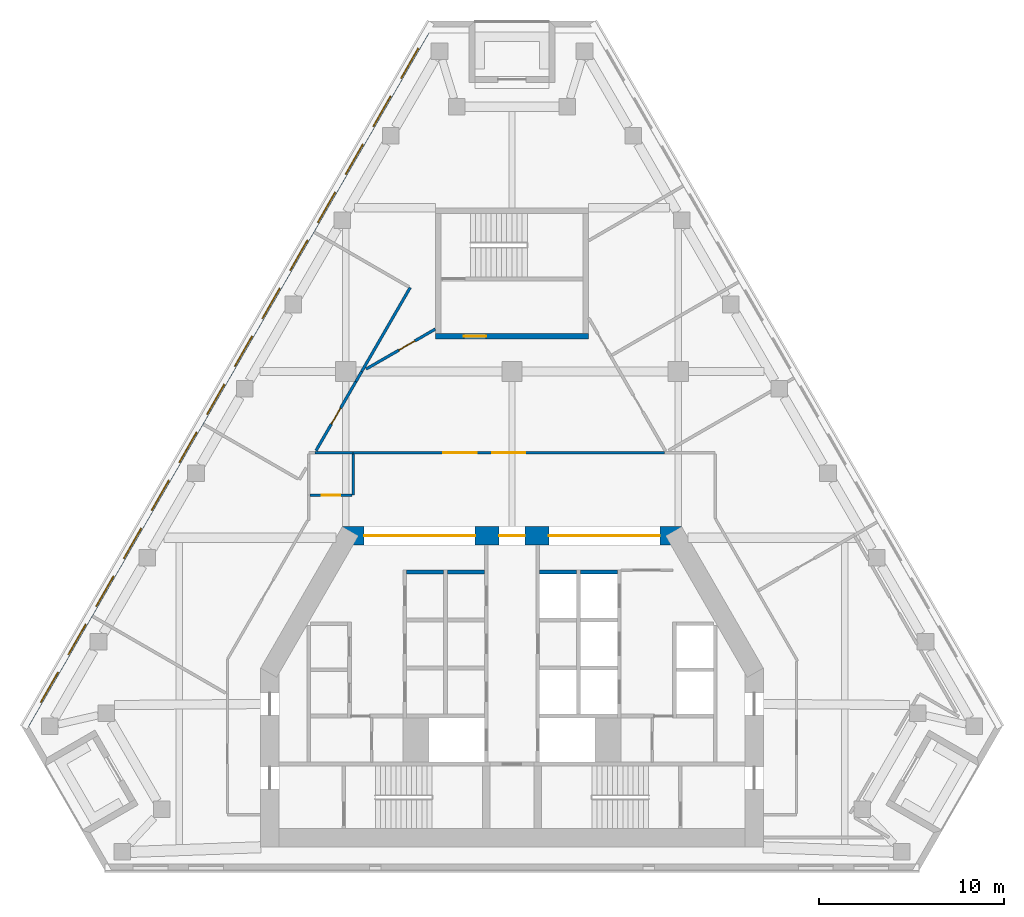
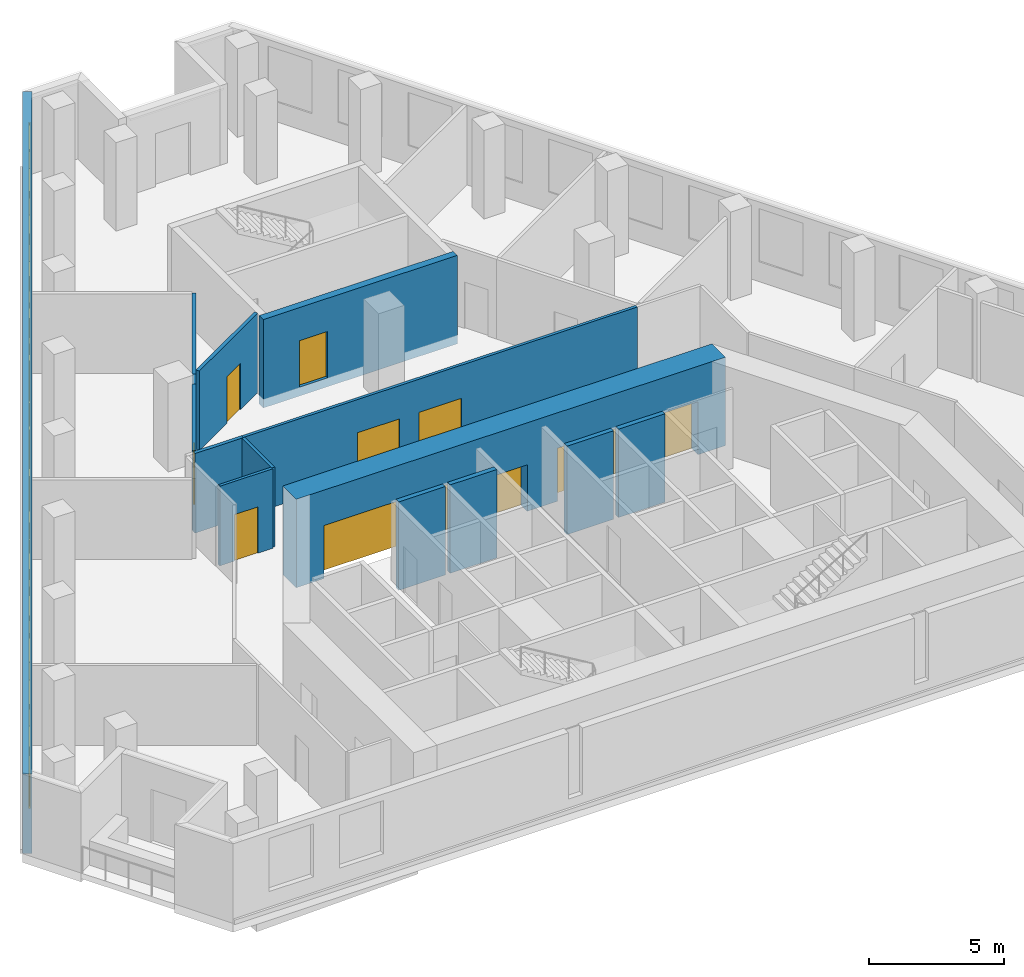
# One storey, part 4 of 8: 15 walls, 14 windows, 9 doors, 23 openings.
"""IFC4 building model written with IfcOpenShell, lengths in metres."""

from ifc_helpers import new_model, si_unit, direction, frame, frame_2d, origin, place, context, subcontext, project, spatial, rectangle, extrude, material, layer, layer_set, type_object, element, fill, save


model = new_model("IFC4")

# Units and contexts
model_context = context("Model", 3, precision=1e-05, world=origin(), true_north=direction((0.0, 1.0)))
body_context = subcontext(model_context, "Body", "Model", "MODEL_VIEW")
ifc_project = project(units=[si_unit("LENGTHUNIT", "METRE"), si_unit("AREAUNIT", "SQUARE_METRE"), si_unit("VOLUMEUNIT", "CUBIC_METRE"), si_unit("PLANEANGLEUNIT", "RADIAN"), si_unit("MASSUNIT", "GRAM", prefix="KILO")], contexts=[model_context])

# Site, building, storey
site_placement = place(None, origin())
site = spatial("IfcSite", under=ifc_project, at=site_placement, CompositionType="ELEMENT")
building_placement = place(site_placement, origin())
building = spatial("IfcBuilding", under=site, at=building_placement, Name="Fogline Exchange Tower", CompositionType="ELEMENT")
storey_placement = place(building_placement, frame((0.0, 0.0, 243.5)))
storey = spatial("IfcBuildingStorey", under=building, at=storey_placement, Name="L55", CompositionType="ELEMENT", Elevation=243.5)

# Walls
ifc_material_1 = material(Name="Concrete C40", Category="concrete")
ifc_layer_1 = layer(ifc_material_1, 0.199951171875)
ifc_layer_set_1 = layer_set([ifc_layer_1], Name="CW20S")
wall_type_1 = type_object("IfcWallType", Name="CW20S", PredefinedType="SOLIDWALL", material=ifc_layer_set_1)
for number, where, z_axis, x_axis, name in (
    (1, (-5.699951171875, 16.14990234375, -0.39990234375), (0.0, 0.0, 1.0), (1.0, 0.0, 0.0), "Lift shaft wall"),
    (2, (-3.5, 16.14990234375, -0.39990234375), (0.0, 0.0, 1.0), (1.0, 0.0, 0.0), "Lift shaft wall"),
    (3, (3.699951171875, 16.14990234375, -0.39990234375), (0.0, 0.0, 1.0), (1.0, 0.0, 0.0), "Lift shaft wall"),
    (4, (1.5, 16.14990234375, -0.39990234375), (0.0, 0.0, 1.0), (1.0, 0.0, 0.0), "Lift shaft wall"),
):
    element("IfcWall", number, at=place(storey_placement, frame(where, z_axis=z_axis, x_axis=x_axis)), inside=storey, type_object=wall_type_1, Name=name, PredefinedType="SOLIDWALL", context=body_context, shape_type="SweptSolid", body=[
        extrude(rectangle(XDim=2.0, YDim=0.199951171875, at=frame_2d((1.0, 0.0))), origin(), (0.0, 0.0, 1.0), 4.0),
    ])

# Wall, opening, door
ifc_layer_2 = layer(ifc_material_1, 0.300048828125)
ifc_layer_set_2 = layer_set([ifc_layer_2], Name="CW30")
wall_type_2 = type_object("IfcWallType", Name="CW30", PredefinedType="SOLIDWALL", material=ifc_layer_set_2)
wall_1_placement = place(storey_placement, frame((-4.14990234375, 28.906982421875, -0.39990234375), z_axis=(0.0, 0.0, 1.0), x_axis=(1.0, 0.0, 0.0)))
wall_1 = element("IfcWall", 5, at=wall_1_placement, inside=storey, type_object=wall_type_2, Name="Stair enclosure wall ST3", PredefinedType="SOLIDWALL", context=body_context, shape_type="SweptSolid", body=[
    extrude(rectangle(XDim=8.2998046875, YDim=0.300048828125, at=frame_2d((4.14990234375, 0.0))), origin(), (0.0, 0.0, 1.0), 4.0),
])
opening_1_placement = place(wall_1_placement, frame((1.550048828125, 0.0, 0.39990234375)))
opening_1 = element("IfcOpeningElement", 6, at=opening_1_placement, cuts=wall_1, Name="Opening T17-C025", PredefinedType="OPENING", context=body_context, shape_type="SweptSolid", body=[
    extrude(rectangle(XDim=1.199951171875, YDim=2.10009765625, at=frame_2d((0.60009765625, 1.050048828125))), frame((0.0, 0.16015625, 0.0), z_axis=(0.0, -1.0, 0.0), x_axis=(1.0, 0.0, 0.0)), (0.0, 0.0, 1.0), 0.320068359375),
])
ifc_material_2 = material(Name="Steel and timber fire door", Category="steel")
door_type_1 = type_object("IfcDoorType", Name="D-FR1", OperationType="SINGLE_SWING_RIGHT", PredefinedType="DOOR", material=ifc_material_2)
door_1_placement = place(opening_1_placement, origin())
door_1 = element("IfcDoor", 7, at=door_1_placement, inside=storey, type_object=door_type_1, Name="Front room door ST3", OperationType="SINGLE_SWING_LEFT", OverallHeight=2.10009765625, OverallWidth=1.199951171875, PredefinedType="DOOR", context=body_context, shape_type="SweptSolid", body=[
    extrude(rectangle(XDim=1.199951171875, YDim=2.10009765625, at=frame_2d((0.60009765625, 1.050048828125))), frame((0.0, 0.02490234375, 0.0), z_axis=(0.0, -1.0, 0.0), x_axis=(1.0, 0.0, 0.0)), (0.0, 0.0, 1.0), 0.050048828125),
])
fill(opening_1, door_1)

# Wall, openings, windows
ifc_material_3 = material(Name="Brick masonry", Category="masonry")
ifc_layer_3 = layer(ifc_material_3, 0.340087890625)
ifc_layer_set_3 = layer_set([ifc_layer_3], Name="FW1")
wall_type_3 = type_object("IfcWallType", Name="FW1", PredefinedType="SOLIDWALL", material=ifc_layer_set_3)
wall_2_placement = place(storey_placement, frame((-4.352783203125, 45.88671875, 0.0), z_axis=(0.0, 0.0, 1.0), x_axis=(-0.499999383836, -0.866025759527, 0.0)))
wall_2 = element("IfcWall", 8, at=wall_2_placement, inside=storey, type_object=wall_type_3, Name="Brick wall L55 W", PredefinedType="SOLIDWALL", context=body_context, shape_type="SweptSolid", body=[
    extrude(rectangle(XDim=44.08349609375, YDim=0.340087890625, at=frame_2d((22.041748046875, 0.0))), origin(), (0.0, 0.0, 1.0), 3.60009765625),
])
opening_2_placement = place(wall_2_placement, frame((1.5625, 0.0, 0.89990234375)))
opening_2 = element("IfcOpeningElement", 9, at=opening_2_placement, cuts=wall_2, Name="Opening W1", PredefinedType="OPENING", context=body_context, shape_type="SweptSolid", body=[
    extrude(rectangle(XDim=1.885009765625, YDim=2.39990234375, at=frame_2d((0.9423828125, 1.199951171875))), frame((0.0, 0.18017578125, 0.0), z_axis=(0.0, -1.0, 0.0), x_axis=(1.0, 0.0, 0.0)), (0.0, 0.0, 1.0), 0.360107421875),
])
opening_3_placement = place(wall_2_placement, frame((4.5625, 0.0, 0.89990234375)))
opening_3 = element("IfcOpeningElement", 10, at=opening_3_placement, cuts=wall_2, Name="Opening W1", PredefinedType="OPENING", context=body_context, shape_type="SweptSolid", body=[
    extrude(rectangle(XDim=1.885009765625, YDim=2.39990234375, at=frame_2d((0.9423828125, 1.199951171875))), frame((0.0, 0.18017578125, 0.0), z_axis=(0.0, -1.0, 0.0), x_axis=(1.0, 0.0, 0.0)), (0.0, 0.0, 1.0), 0.360107421875),
])
opening_4_placement = place(wall_2_placement, frame((7.5625, 0.0, 0.89990234375)))
opening_4 = element("IfcOpeningElement", 11, at=opening_4_placement, cuts=wall_2, Name="Opening W1", PredefinedType="OPENING", context=body_context, shape_type="SweptSolid", body=[
    extrude(rectangle(XDim=1.885009765625, YDim=2.39990234375, at=frame_2d((0.9423828125, 1.199951171875))), frame((0.0, 0.18017578125, 0.0), z_axis=(0.0, -1.0, 0.0), x_axis=(1.0, 0.0, 0.0)), (0.0, 0.0, 1.0), 0.360107421875),
])
opening_5_placement = place(wall_2_placement, frame((10.5625, 0.0, 0.89990234375)))
opening_5 = element("IfcOpeningElement", 12, at=opening_5_placement, cuts=wall_2, Name="Opening W1", PredefinedType="OPENING", context=body_context, shape_type="SweptSolid", body=[
    extrude(rectangle(XDim=1.885009765625, YDim=2.39990234375, at=frame_2d((0.9423828125, 1.199951171875))), frame((0.0, 0.18017578125, 0.0), z_axis=(0.0, -1.0, 0.0), x_axis=(1.0, 0.0, 0.0)), (0.0, 0.0, 1.0), 0.360107421875),
])
opening_6_placement = place(wall_2_placement, frame((13.5625, 0.0, 0.89990234375)))
opening_6 = element("IfcOpeningElement", 13, at=opening_6_placement, cuts=wall_2, Name="Opening W1", PredefinedType="OPENING", context=body_context, shape_type="SweptSolid", body=[
    extrude(rectangle(XDim=1.885009765625, YDim=2.39990234375, at=frame_2d((0.9423828125, 1.199951171875))), frame((0.0, 0.18017578125, 0.0), z_axis=(0.0, -1.0, 0.0), x_axis=(1.0, 0.0, 0.0)), (0.0, 0.0, 1.0), 0.360107421875),
])
opening_7_placement = place(wall_2_placement, frame((16.5625, 0.0, 0.89990234375)))
opening_7 = element("IfcOpeningElement", 14, at=opening_7_placement, cuts=wall_2, Name="Opening W1", PredefinedType="OPENING", context=body_context, shape_type="SweptSolid", body=[
    extrude(rectangle(XDim=1.885009765625, YDim=2.39990234375, at=frame_2d((0.9423828125, 1.199951171875))), frame((0.0, 0.18017578125, 0.0), z_axis=(0.0, -1.0, 0.0), x_axis=(1.0, 0.0, 0.0)), (0.0, 0.0, 1.0), 0.360107421875),
])
opening_8_placement = place(wall_2_placement, frame((19.5625, 0.0, 0.89990234375)))
opening_8 = element("IfcOpeningElement", 15, at=opening_8_placement, cuts=wall_2, Name="Opening W1", PredefinedType="OPENING", context=body_context, shape_type="SweptSolid", body=[
    extrude(rectangle(XDim=1.885009765625, YDim=2.39990234375, at=frame_2d((0.9423828125, 1.199951171875))), frame((0.0, 0.18017578125, 0.0), z_axis=(0.0, -1.0, 0.0), x_axis=(1.0, 0.0, 0.0)), (0.0, 0.0, 1.0), 0.360107421875),
])
opening_9_placement = place(wall_2_placement, frame((22.5625, 0.0, 0.89990234375)))
opening_9 = element("IfcOpeningElement", 16, at=opening_9_placement, cuts=wall_2, Name="Opening W1", PredefinedType="OPENING", context=body_context, shape_type="SweptSolid", body=[
    extrude(rectangle(XDim=1.885009765625, YDim=2.39990234375, at=frame_2d((0.9423828125, 1.199951171875))), frame((0.0, 0.18017578125, 0.0), z_axis=(0.0, -1.0, 0.0), x_axis=(1.0, 0.0, 0.0)), (0.0, 0.0, 1.0), 0.360107421875),
])
opening_10_placement = place(wall_2_placement, frame((25.5625, 0.0, 0.89990234375)))
opening_10 = element("IfcOpeningElement", 17, at=opening_10_placement, cuts=wall_2, Name="Opening W1", PredefinedType="OPENING", context=body_context, shape_type="SweptSolid", body=[
    extrude(rectangle(XDim=1.885009765625, YDim=2.39990234375, at=frame_2d((0.9423828125, 1.199951171875))), frame((0.0, 0.18017578125, 0.0), z_axis=(0.0, -1.0, 0.0), x_axis=(1.0, 0.0, 0.0)), (0.0, 0.0, 1.0), 0.360107421875),
])
opening_11_placement = place(wall_2_placement, frame((28.5625, 0.0, 0.89990234375)))
opening_11 = element("IfcOpeningElement", 18, at=opening_11_placement, cuts=wall_2, Name="Opening W1", PredefinedType="OPENING", context=body_context, shape_type="SweptSolid", body=[
    extrude(rectangle(XDim=1.885009765625, YDim=2.39990234375, at=frame_2d((0.9423828125, 1.199951171875))), frame((0.0, 0.18017578125, 0.0), z_axis=(0.0, -1.0, 0.0), x_axis=(1.0, 0.0, 0.0)), (0.0, 0.0, 1.0), 0.360107421875),
])
opening_12_placement = place(wall_2_placement, frame((31.5625, 0.0, 0.89990234375)))
opening_12 = element("IfcOpeningElement", 19, at=opening_12_placement, cuts=wall_2, Name="Opening W1", PredefinedType="OPENING", context=body_context, shape_type="SweptSolid", body=[
    extrude(rectangle(XDim=1.885009765625, YDim=2.39990234375, at=frame_2d((0.9423828125, 1.199951171875))), frame((0.0, 0.18017578125, 0.0), z_axis=(0.0, -1.0, 0.0), x_axis=(1.0, 0.0, 0.0)), (0.0, 0.0, 1.0), 0.360107421875),
])
opening_13_placement = place(wall_2_placement, frame((34.5625, 0.0, 0.89990234375)))
opening_13 = element("IfcOpeningElement", 20, at=opening_13_placement, cuts=wall_2, Name="Opening W1", PredefinedType="OPENING", context=body_context, shape_type="SweptSolid", body=[
    extrude(rectangle(XDim=1.885009765625, YDim=2.39990234375, at=frame_2d((0.9423828125, 1.199951171875))), frame((0.0, 0.18017578125, 0.0), z_axis=(0.0, -1.0, 0.0), x_axis=(1.0, 0.0, 0.0)), (0.0, 0.0, 1.0), 0.360107421875),
])
opening_14_placement = place(wall_2_placement, frame((37.5625, 0.0, 0.89990234375)))
opening_14 = element("IfcOpeningElement", 21, at=opening_14_placement, cuts=wall_2, Name="Opening W1", PredefinedType="OPENING", context=body_context, shape_type="SweptSolid", body=[
    extrude(rectangle(XDim=1.885009765625, YDim=2.39990234375, at=frame_2d((0.9423828125, 1.199951171875))), frame((0.0, 0.18017578125, 0.0), z_axis=(0.0, -1.0, 0.0), x_axis=(1.0, 0.0, 0.0)), (0.0, 0.0, 1.0), 0.360107421875),
])
opening_15_placement = place(wall_2_placement, frame((40.5625, 0.0, 0.89990234375)))
opening_15 = element("IfcOpeningElement", 22, at=opening_15_placement, cuts=wall_2, Name="Opening W1", PredefinedType="OPENING", context=body_context, shape_type="SweptSolid", body=[
    extrude(rectangle(XDim=1.885009765625, YDim=2.39990234375, at=frame_2d((0.9423828125, 1.199951171875))), frame((0.0, 0.18017578125, 0.0), z_axis=(0.0, -1.0, 0.0), x_axis=(1.0, 0.0, 0.0)), (0.0, 0.0, 1.0), 0.360107421875),
])
ifc_material_4 = material(Name="Aluminium and glass", Category="aluminium")
window_type = type_object("IfcWindowType", Name="W1", PartitioningType="SINGLE_PANEL", PredefinedType="WINDOW", material=ifc_material_4)
window_1_placement = place(opening_2_placement, origin())
window_1 = element("IfcWindow", 23, at=window_1_placement, inside=storey, type_object=window_type, Name="W1 W1", OverallHeight=2.39990234375, OverallWidth=1.885009765625, PartitioningType="SINGLE_PANEL", PredefinedType="WINDOW", context=body_context, shape_type="SweptSolid", body=[
    extrude(rectangle(XDim=1.885009765625, YDim=2.39990234375, at=frame_2d((0.9423828125, 1.199951171875))), frame((0.0, 0.110107421875, 0.0), z_axis=(0.0, -1.0, 0.0), x_axis=(1.0, 0.0, 0.0)), (0.0, 0.0, 1.0), 0.06005859375),
])
fill(opening_2, window_1)
window_2_placement = place(opening_3_placement, origin())
window_2 = element("IfcWindow", 24, at=window_2_placement, inside=storey, type_object=window_type, Name="W1 W1", OverallHeight=2.39990234375, OverallWidth=1.885009765625, PartitioningType="SINGLE_PANEL", PredefinedType="WINDOW", context=body_context, shape_type="SweptSolid", body=[
    extrude(rectangle(XDim=1.885009765625, YDim=2.39990234375, at=frame_2d((0.9423828125, 1.199951171875))), frame((0.0, 0.110107421875, 0.0), z_axis=(0.0, -1.0, 0.0), x_axis=(1.0, 0.0, 0.0)), (0.0, 0.0, 1.0), 0.06005859375),
])
fill(opening_3, window_2)
window_3_placement = place(opening_4_placement, origin())
window_3 = element("IfcWindow", 25, at=window_3_placement, inside=storey, type_object=window_type, Name="W1 W1", OverallHeight=2.39990234375, OverallWidth=1.885009765625, PartitioningType="SINGLE_PANEL", PredefinedType="WINDOW", context=body_context, shape_type="SweptSolid", body=[
    extrude(rectangle(XDim=1.885009765625, YDim=2.39990234375, at=frame_2d((0.9423828125, 1.199951171875))), frame((0.0, 0.110107421875, 0.0), z_axis=(0.0, -1.0, 0.0), x_axis=(1.0, 0.0, 0.0)), (0.0, 0.0, 1.0), 0.06005859375),
])
fill(opening_4, window_3)
window_4_placement = place(opening_5_placement, origin())
window_4 = element("IfcWindow", 26, at=window_4_placement, inside=storey, type_object=window_type, Name="W1 W1", OverallHeight=2.39990234375, OverallWidth=1.885009765625, PartitioningType="SINGLE_PANEL", PredefinedType="WINDOW", context=body_context, shape_type="SweptSolid", body=[
    extrude(rectangle(XDim=1.885009765625, YDim=2.39990234375, at=frame_2d((0.9423828125, 1.199951171875))), frame((0.0, 0.110107421875, 0.0), z_axis=(0.0, -1.0, 0.0), x_axis=(1.0, 0.0, 0.0)), (0.0, 0.0, 1.0), 0.06005859375),
])
fill(opening_5, window_4)
window_5_placement = place(opening_6_placement, origin())
window_5 = element("IfcWindow", 27, at=window_5_placement, inside=storey, type_object=window_type, Name="W1 W1", OverallHeight=2.39990234375, OverallWidth=1.885009765625, PartitioningType="SINGLE_PANEL", PredefinedType="WINDOW", context=body_context, shape_type="SweptSolid", body=[
    extrude(rectangle(XDim=1.885009765625, YDim=2.39990234375, at=frame_2d((0.9423828125, 1.199951171875))), frame((0.0, 0.110107421875, 0.0), z_axis=(0.0, -1.0, 0.0), x_axis=(1.0, 0.0, 0.0)), (0.0, 0.0, 1.0), 0.06005859375),
])
fill(opening_6, window_5)
window_6_placement = place(opening_7_placement, origin())
window_6 = element("IfcWindow", 28, at=window_6_placement, inside=storey, type_object=window_type, Name="W1 W1", OverallHeight=2.39990234375, OverallWidth=1.885009765625, PartitioningType="SINGLE_PANEL", PredefinedType="WINDOW", context=body_context, shape_type="SweptSolid", body=[
    extrude(rectangle(XDim=1.885009765625, YDim=2.39990234375, at=frame_2d((0.9423828125, 1.199951171875))), frame((0.0, 0.110107421875, 0.0), z_axis=(0.0, -1.0, 0.0), x_axis=(1.0, 0.0, 0.0)), (0.0, 0.0, 1.0), 0.06005859375),
])
fill(opening_7, window_6)
window_7_placement = place(opening_8_placement, origin())
window_7 = element("IfcWindow", 29, at=window_7_placement, inside=storey, type_object=window_type, Name="W1 W1", OverallHeight=2.39990234375, OverallWidth=1.885009765625, PartitioningType="SINGLE_PANEL", PredefinedType="WINDOW", context=body_context, shape_type="SweptSolid", body=[
    extrude(rectangle(XDim=1.885009765625, YDim=2.39990234375, at=frame_2d((0.9423828125, 1.199951171875))), frame((0.0, 0.110107421875, 0.0), z_axis=(0.0, -1.0, 0.0), x_axis=(1.0, 0.0, 0.0)), (0.0, 0.0, 1.0), 0.06005859375),
])
fill(opening_8, window_7)
window_8_placement = place(opening_9_placement, origin())
window_8 = element("IfcWindow", 30, at=window_8_placement, inside=storey, type_object=window_type, Name="W1 W1", OverallHeight=2.39990234375, OverallWidth=1.885009765625, PartitioningType="SINGLE_PANEL", PredefinedType="WINDOW", context=body_context, shape_type="SweptSolid", body=[
    extrude(rectangle(XDim=1.885009765625, YDim=2.39990234375, at=frame_2d((0.9423828125, 1.199951171875))), frame((0.0, 0.110107421875, 0.0), z_axis=(0.0, -1.0, 0.0), x_axis=(1.0, 0.0, 0.0)), (0.0, 0.0, 1.0), 0.06005859375),
])
fill(opening_9, window_8)
window_9_placement = place(opening_10_placement, origin())
window_9 = element("IfcWindow", 31, at=window_9_placement, inside=storey, type_object=window_type, Name="W1 W1", OverallHeight=2.39990234375, OverallWidth=1.885009765625, PartitioningType="SINGLE_PANEL", PredefinedType="WINDOW", context=body_context, shape_type="SweptSolid", body=[
    extrude(rectangle(XDim=1.885009765625, YDim=2.39990234375, at=frame_2d((0.9423828125, 1.199951171875))), frame((0.0, 0.110107421875, 0.0), z_axis=(0.0, -1.0, 0.0), x_axis=(1.0, 0.0, 0.0)), (0.0, 0.0, 1.0), 0.06005859375),
])
fill(opening_10, window_9)
window_10_placement = place(opening_11_placement, origin())
window_10 = element("IfcWindow", 32, at=window_10_placement, inside=storey, type_object=window_type, Name="W1 W1", OverallHeight=2.39990234375, OverallWidth=1.885009765625, PartitioningType="SINGLE_PANEL", PredefinedType="WINDOW", context=body_context, shape_type="SweptSolid", body=[
    extrude(rectangle(XDim=1.885009765625, YDim=2.39990234375, at=frame_2d((0.9423828125, 1.199951171875))), frame((0.0, 0.110107421875, 0.0), z_axis=(0.0, -1.0, 0.0), x_axis=(1.0, 0.0, 0.0)), (0.0, 0.0, 1.0), 0.06005859375),
])
fill(opening_11, window_10)
window_11_placement = place(opening_12_placement, origin())
window_11 = element("IfcWindow", 33, at=window_11_placement, inside=storey, type_object=window_type, Name="W1 W1", OverallHeight=2.39990234375, OverallWidth=1.885009765625, PartitioningType="SINGLE_PANEL", PredefinedType="WINDOW", context=body_context, shape_type="SweptSolid", body=[
    extrude(rectangle(XDim=1.885009765625, YDim=2.39990234375, at=frame_2d((0.9423828125, 1.199951171875))), frame((0.0, 0.110107421875, 0.0), z_axis=(0.0, -1.0, 0.0), x_axis=(1.0, 0.0, 0.0)), (0.0, 0.0, 1.0), 0.06005859375),
])
fill(opening_12, window_11)
window_12_placement = place(opening_13_placement, origin())
window_12 = element("IfcWindow", 34, at=window_12_placement, inside=storey, type_object=window_type, Name="W1 W1", OverallHeight=2.39990234375, OverallWidth=1.885009765625, PartitioningType="SINGLE_PANEL", PredefinedType="WINDOW", context=body_context, shape_type="SweptSolid", body=[
    extrude(rectangle(XDim=1.885009765625, YDim=2.39990234375, at=frame_2d((0.9423828125, 1.199951171875))), frame((0.0, 0.110107421875, 0.0), z_axis=(0.0, -1.0, 0.0), x_axis=(1.0, 0.0, 0.0)), (0.0, 0.0, 1.0), 0.06005859375),
])
fill(opening_13, window_12)
window_13_placement = place(opening_14_placement, origin())
window_13 = element("IfcWindow", 35, at=window_13_placement, inside=storey, type_object=window_type, Name="W1 W1", OverallHeight=2.39990234375, OverallWidth=1.885009765625, PartitioningType="SINGLE_PANEL", PredefinedType="WINDOW", context=body_context, shape_type="SweptSolid", body=[
    extrude(rectangle(XDim=1.885009765625, YDim=2.39990234375, at=frame_2d((0.9423828125, 1.199951171875))), frame((0.0, 0.110107421875, 0.0), z_axis=(0.0, -1.0, 0.0), x_axis=(1.0, 0.0, 0.0)), (0.0, 0.0, 1.0), 0.06005859375),
])
fill(opening_14, window_13)
window_14_placement = place(opening_15_placement, origin())
window_14 = element("IfcWindow", 36, at=window_14_placement, inside=storey, type_object=window_type, Name="W1 W1", OverallHeight=2.39990234375, OverallWidth=1.885009765625, PartitioningType="SINGLE_PANEL", PredefinedType="WINDOW", context=body_context, shape_type="SweptSolid", body=[
    extrude(rectangle(XDim=1.885009765625, YDim=2.39990234375, at=frame_2d((0.9423828125, 1.199951171875))), frame((0.0, 0.110107421875, 0.0), z_axis=(0.0, -1.0, 0.0), x_axis=(1.0, 0.0, 0.0)), (0.0, 0.0, 1.0), 0.06005859375),
])
fill(opening_15, window_14)

# Wall, openings, doors
ifc_material_5 = material(Name="Plasterboard corridor partition with mineral wool, 2 layers each side")
ifc_layer_4 = layer(ifc_material_5, 0.125)
ifc_layer_set_4 = layer_set([ifc_layer_4], Name="PW2")
wall_type_4 = type_object("IfcWallType", Name="PW2", PredefinedType="PARTITIONING", material=ifc_layer_set_4)
wall_3_placement = place(storey_placement, frame((-8.60009765625, 22.60009765625, 0.0), z_axis=(0.0, 0.0, 1.0), x_axis=(1.0, 0.0, 0.0)))
wall_3 = element("IfcWall", 37, at=wall_3_placement, inside=storey, type_object=wall_type_4, Name="wall-L55-W007", PredefinedType="PARTITIONING", context=body_context, shape_type="SweptSolid", body=[
    extrude(rectangle(XDim=16.859375, YDim=0.125, at=frame_2d((8.4296875, 0.0))), origin(), (0.0, 0.0, 1.0), 3.60009765625),
])
opening_16_placement = place(wall_3_placement, frame((4.882568359375, 0.0, 0.0)))
opening_16 = element("IfcOpeningElement", 38, at=opening_16_placement, cuts=wall_3, Name="Opening T17-D002", PredefinedType="OPENING", context=body_context, shape_type="SweptSolid", body=[
    extrude(rectangle(XDim=1.800048828125, YDim=2.10009765625, at=frame_2d((0.89990234375, 1.050048828125))), frame((0.0, 0.072509765625, 0.0), z_axis=(0.0, -1.0, 0.0), x_axis=(1.0, 0.0, 0.0)), (0.0, 0.0, 1.0), 0.14501953125),
])
opening_17_placement = place(wall_3_placement, frame((7.529541015625, 0.0, 0.0)))
opening_17 = element("IfcOpeningElement", 39, at=opening_17_placement, cuts=wall_3, Name="Opening T17-D003", PredefinedType="OPENING", context=body_context, shape_type="SweptSolid", body=[
    extrude(rectangle(XDim=1.800048828125, YDim=2.10009765625, at=frame_2d((0.89990234375, 1.050048828125))), frame((0.0, 0.072509765625, 0.0), z_axis=(0.0, -1.0, 0.0), x_axis=(1.0, 0.0, 0.0)), (0.0, 0.0, 1.0), 0.14501953125),
])
ifc_material_6 = material(Name="Fire-rated timber door leaves with steel frame", Category="steel")
door_type_2 = type_object("IfcDoorType", Name="D4", OperationType="DOUBLE_DOOR_SINGLE_SWING", PredefinedType="DOOR", material=ifc_material_6)
door_2_placement = place(opening_16_placement, frame((1.800048828125, 0.0, 0.0), z_axis=(0.0, 0.0, 1.0), x_axis=(-1.0, 0.0, 0.0)))
door_2 = element("IfcDoor", 40, at=door_2_placement, inside=storey, type_object=door_type_2, Name="door-L55-D002", OperationType="DOUBLE_DOOR_SINGLE_SWING", OverallHeight=2.10009765625, OverallWidth=1.800048828125, PredefinedType="DOOR", context=body_context, shape_type="SweptSolid", body=[
    extrude(rectangle(XDim=1.800048828125, YDim=2.10009765625, at=frame_2d((0.89990234375, 1.050048828125))), frame((0.0, 0.02490234375, 0.0), z_axis=(0.0, -1.0, 0.0), x_axis=(1.0, 0.0, 0.0)), (0.0, 0.0, 1.0), 0.050048828125),
])
fill(opening_16, door_2)
door_3_placement = place(opening_17_placement, frame((1.800048828125, 0.0, 0.0), z_axis=(0.0, 0.0, 1.0), x_axis=(-1.0, 0.0, 0.0)))
door_3 = element("IfcDoor", 41, at=door_3_placement, inside=storey, type_object=door_type_2, Name="door-L55-D003", OperationType="DOUBLE_DOOR_SINGLE_SWING", OverallHeight=2.10009765625, OverallWidth=1.800048828125, PredefinedType="DOOR", context=body_context, shape_type="SweptSolid", body=[
    extrude(rectangle(XDim=1.800048828125, YDim=2.10009765625, at=frame_2d((0.89990234375, 1.050048828125))), frame((0.0, 0.02490234375, 0.0), z_axis=(0.0, -1.0, 0.0), x_axis=(1.0, 0.0, 0.0)), (0.0, 0.0, 1.0), 0.050048828125),
])
fill(opening_17, door_3)

# Wall, opening, door
wall_4_placement = place(storey_placement, frame((-10.925048828125, 20.300048828125, 0.0), z_axis=(0.0, 0.0, 1.0), x_axis=(1.0, 0.0, 0.0)))
wall_4 = element("IfcWall", 42, at=wall_4_placement, inside=storey, type_object=wall_type_4, Name="wall-L55-W008", PredefinedType="PARTITIONING", context=body_context, shape_type="SweptSolid", body=[
    extrude(rectangle(XDim=2.262451171875, YDim=0.125, at=frame_2d((1.13134765625, 0.0))), origin(), (0.0, 0.0, 1.0), 3.60009765625),
])
opening_18_placement = place(wall_4_placement, frame((0.63134765625, 0.0, 0.0)))
opening_18 = element("IfcOpeningElement", 43, at=opening_18_placement, cuts=wall_4, Name="Opening T17-D004", PredefinedType="OPENING", context=body_context, shape_type="SweptSolid", body=[
    extrude(rectangle(XDim=1.0, YDim=2.10009765625, at=frame_2d((0.5, 1.050048828125))), frame((0.0, 0.072509765625, 0.0), z_axis=(0.0, -1.0, 0.0), x_axis=(1.0, 0.0, 0.0)), (0.0, 0.0, 1.0), 0.14501953125),
])
ifc_material_7 = material(Name="Fire-rated timber door leaf with steel frame", Category="steel")
door_type_3 = type_object("IfcDoorType", Name="D3", OperationType="SINGLE_SWING_LEFT", PredefinedType="DOOR", material=ifc_material_7)
door_4_placement = place(opening_18_placement, origin())
door_4 = element("IfcDoor", 44, at=door_4_placement, inside=storey, type_object=door_type_3, Name="door-L55-D004", OperationType="SINGLE_SWING_LEFT", OverallHeight=2.10009765625, OverallWidth=1.0, PredefinedType="DOOR", context=body_context, shape_type="SweptSolid", body=[
    extrude(rectangle(XDim=1.0, YDim=2.10009765625, at=frame_2d((0.5, 1.050048828125))), frame((0.0, 0.02490234375, 0.0), z_axis=(0.0, -1.0, 0.0), x_axis=(1.0, 0.0, 0.0)), (0.0, 0.0, 1.0), 0.050048828125),
])
fill(opening_18, door_4)

# Wall
wall_5_placement = place(storey_placement, frame((-8.60009765625, 20.300048828125, 0.0), z_axis=(0.0, 0.0, 1.0), x_axis=(0.0, 1.0, 0.0)))
element("IfcWall", 45, at=wall_5_placement, inside=storey, type_object=wall_type_4, Name="wall-L55-W009", PredefinedType="PARTITIONING", context=body_context, shape_type="SweptSolid", body=[
    extrude(rectangle(XDim=2.224365234375, YDim=0.125, at=frame_2d((1.1123046875, 0.0))), origin(), (0.0, 0.0, 1.0), 3.60009765625),
])

# Wall, opening, door
ifc_material_8 = material(Name="Plasterboard demising partition with mineral wool and acoustic board")
ifc_layer_5 = layer(ifc_material_8, 0.14990234375)
ifc_layer_set_5 = layer_set([ifc_layer_5], Name="PW3")
wall_type_5 = type_object("IfcWallType", Name="PW3", PredefinedType="PARTITIONING", material=ifc_layer_set_5)
wall_6_placement = place(storey_placement, frame((-4.14990234375, 29.2919921875, 0.0), z_axis=(0.0, 0.0, 1.0), x_axis=(-0.866022044088, -0.50000581912, 0.0)))
wall_6 = element("IfcWall", 46, at=wall_6_placement, inside=storey, type_object=wall_type_5, Name="wall-L55-W023", PredefinedType="PARTITIONING", context=body_context, shape_type="SweptSolid", body=[
    extrude(rectangle(XDim=4.32568359375, YDim=0.14990234375, at=frame_2d((2.162841796875, 0.0))), origin(), (0.0, 0.0, 1.0), 3.60009765625),
])
opening_19_placement = place(wall_6_placement, frame((1.277587890625, 0.0, 0.0)))
opening_19 = element("IfcOpeningElement", 47, at=opening_19_placement, cuts=wall_6, Name="Opening T17-D010", PredefinedType="OPENING", context=body_context, shape_type="SweptSolid", body=[
    extrude(rectangle(XDim=1.0, YDim=2.10009765625, at=frame_2d((0.5, 1.050048828125))), frame((0.0, 0.0849609375, 0.0), z_axis=(0.0, -1.0, 0.0), x_axis=(1.0, 0.0, 0.0)), (0.0, 0.0, 1.0), 0.169921875),
])
door_5_placement = place(opening_19_placement, frame((1.0, 0.0, 0.0), z_axis=(0.0, 0.0, 1.0), x_axis=(-1.0, 0.0, 0.0)))
door_5 = element("IfcDoor", 48, at=door_5_placement, inside=storey, type_object=door_type_3, Name="door-L55-D010", OperationType="SINGLE_SWING_RIGHT", OverallHeight=2.10009765625, OverallWidth=1.0, PredefinedType="DOOR", context=body_context, shape_type="SweptSolid", body=[
    extrude(rectangle(XDim=1.0, YDim=2.10009765625, at=frame_2d((0.5, 1.050048828125))), frame((0.0, 0.02490234375, 0.0), z_axis=(0.0, -1.0, 0.0), x_axis=(1.0, 0.0, 0.0)), (0.0, 0.0, 1.0), 0.050048828125),
])
fill(opening_19, door_5)

# Wall
wall_7_placement = place(storey_placement, frame((-8.138916015625, 26.989013671875, 0.0), z_axis=(0.0, 0.0, 1.0), x_axis=(0.500017439519, 0.866015334839, 0.0)))
element("IfcWall", 49, at=wall_7_placement, inside=storey, type_object=wall_type_5, Name="wall-L55-W024", PredefinedType="PARTITIONING", context=body_context, shape_type="SweptSolid", body=[
    extrude(rectangle(XDim=5.253662109375, YDim=0.14990234375, at=frame_2d((2.626953125, 0.0))), origin(), (0.0, 0.0, 1.0), 3.60009765625),
])

# Wall, opening, door
wall_8_placement = place(storey_placement, frame((-10.607666015625, 22.712890625, 0.0), z_axis=(0.0, 0.0, 1.0), x_axis=(0.50002119175, 0.866013168376, 0.0)))
wall_8 = element("IfcWall", 50, at=wall_8_placement, inside=storey, type_object=wall_type_5, Name="wall-L55-W026", PredefinedType="PARTITIONING", context=body_context, shape_type="SweptSolid", body=[
    extrude(rectangle(XDim=4.315185546875, YDim=0.14990234375, at=frame_2d((2.15771484375, 0.0))), origin(), (0.0, 0.0, 1.0), 3.60009765625),
])
opening_20_placement = place(wall_8_placement, frame((1.65771484375, 0.0, 0.0)))
opening_20 = element("IfcOpeningElement", 51, at=opening_20_placement, cuts=wall_8, Name="Opening T17-D011", PredefinedType="OPENING", context=body_context, shape_type="SweptSolid", body=[
    extrude(rectangle(XDim=1.0, YDim=2.10009765625, at=frame_2d((0.5, 1.050048828125))), frame((0.0, 0.0849609375, 0.0), z_axis=(0.0, -1.0, 0.0), x_axis=(1.0, 0.0, 0.0)), (0.0, 0.0, 1.0), 0.169921875),
])
door_6_placement = place(opening_20_placement, origin())
door_6 = element("IfcDoor", 52, at=door_6_placement, inside=storey, type_object=door_type_3, Name="door-L55-D011", OperationType="SINGLE_SWING_RIGHT", OverallHeight=2.10009765625, OverallWidth=1.0, PredefinedType="DOOR", context=body_context, shape_type="SweptSolid", body=[
    extrude(rectangle(XDim=1.0, YDim=2.10009765625, at=frame_2d((0.5, 1.050048828125))), frame((0.0, 0.02490234375, 0.0), z_axis=(0.0, -1.0, 0.0), x_axis=(1.0, 0.0, 0.0)), (0.0, 0.0, 1.0), 0.050048828125),
])
fill(opening_20, door_6)

# Walls
wall_9_placement = place(storey_placement, frame((-8.449951171875, 26.4501953125, 0.0), z_axis=(0.0, 0.0, 1.0), x_axis=(0.499937591627, 0.866061432277, 0.0)))
element("IfcWall", 53, at=wall_9_placement, inside=storey, type_object=wall_type_5, Name="wall-L55-W027", PredefinedType="PARTITIONING", context=body_context, shape_type="SweptSolid", body=[
    extrude(rectangle(XDim=0.6220703125, YDim=0.14990234375, at=frame_2d((0.31103515625, 0.0))), origin(), (0.0, 0.0, 1.0), 3.60009765625),
])
wall_10_placement = place(storey_placement, frame((-8.60009765625, 22.60009765625, 0.0), z_axis=(0.0, 0.0, 1.0), x_axis=(-1.0, 0.0, 0.0)))
element("IfcWall", 54, at=wall_10_placement, inside=storey, type_object=wall_type_5, Name="wall-L55-W028", PredefinedType="PARTITIONING", context=body_context, shape_type="SweptSolid", body=[
    extrude(rectangle(XDim=2.07275390625, YDim=0.14990234375, at=frame_2d((1.036376953125, 0.0))), origin(), (0.0, 0.0, 1.0), 3.60009765625),
])

# Wall, openings, doors
ifc_material_9 = material(Name="Concrete C60", Category="concrete")
ifc_layer_6 = layer(ifc_material_9, 1.0)
ifc_layer_set_6 = layer_set([ifc_layer_6], Name="SW03")
wall_type_6 = type_object("IfcWallType", Name="SW03", PredefinedType="SHEAR", material=ifc_layer_set_6)
wall_11_placement = place(storey_placement, frame((9.1806640625, 18.10009765625, 0.0), z_axis=(0.0, 0.0, 1.0), x_axis=(-1.0, 0.0, 0.0)))
wall_11 = element("IfcWall", 55, at=wall_11_placement, inside=storey, type_object=wall_type_6, Name="L55-W904", PredefinedType="SHEAR", context=body_context, shape_type="SweptSolid", body=[
    extrude(rectangle(XDim=18.361328125, YDim=1.0, at=frame_2d((9.1806640625, 0.0))), origin(), (0.0, 0.0, 1.0), 4.0),
])
opening_21_placement = place(wall_11_placement, frame((8.480712890625, 0.0, 0.0)))
opening_21 = element("IfcOpeningElement", 56, at=opening_21_placement, cuts=wall_11, Name="Opening T17-C022", PredefinedType="OPENING", context=body_context, shape_type="SweptSolid", body=[
    extrude(rectangle(XDim=1.39990234375, YDim=2.10009765625, at=frame_2d((0.699951171875, 1.050048828125))), frame((0.0, 0.510009765625, 0.0), z_axis=(0.0, -1.0, 0.0), x_axis=(1.0, 0.0, 0.0)), (0.0, 0.0, 1.0), 1.02001953125),
])
opening_22_placement = place(wall_11_placement, frame((11.1806640625, 0.0, 0.0)))
opening_22 = element("IfcOpeningElement", 57, at=opening_22_placement, cuts=wall_11, Name="Opening T17-C023", PredefinedType="OPENING", context=body_context, shape_type="SweptSolid", body=[
    extrude(rectangle(XDim=6.0, YDim=2.39990234375, at=frame_2d((3.0, 1.199951171875))), frame((0.0, 0.510009765625, 0.0), z_axis=(0.0, -1.0, 0.0), x_axis=(1.0, 0.0, 0.0)), (0.0, 0.0, 1.0), 1.02001953125),
])
opening_23_placement = place(wall_11_placement, frame((1.1806640625, 0.0, 0.0)))
opening_23 = element("IfcOpeningElement", 58, at=opening_23_placement, cuts=wall_11, Name="Opening T17-C024", PredefinedType="OPENING", context=body_context, shape_type="SweptSolid", body=[
    extrude(rectangle(XDim=6.0, YDim=2.39990234375, at=frame_2d((3.0, 1.199951171875))), frame((0.0, 0.510009765625, 0.0), z_axis=(0.0, -1.0, 0.0), x_axis=(1.0, 0.0, 0.0)), (0.0, 0.0, 1.0), 1.02001953125),
])
door_type_4 = type_object("IfcDoorType", Name="D-LB1", OperationType="DOUBLE_DOOR_SINGLE_SWING", PredefinedType="DOOR", material=ifc_material_2)
door_7_placement = place(opening_21_placement, origin())
door_7 = element("IfcDoor", 59, at=door_7_placement, inside=storey, type_object=door_type_4, Name="Protected lobby door", OperationType="DOUBLE_DOOR_SINGLE_SWING", OverallHeight=2.10009765625, OverallWidth=1.39990234375, PredefinedType="DOOR", context=body_context, shape_type="SweptSolid", body=[
    extrude(rectangle(XDim=1.39990234375, YDim=2.10009765625, at=frame_2d((0.699951171875, 1.050048828125))), frame((0.0, 0.02490234375, 0.0), z_axis=(0.0, -1.0, 0.0), x_axis=(1.0, 0.0, 0.0)), (0.0, 0.0, 1.0), 0.050048828125),
])
fill(opening_21, door_7)
door_type_5 = type_object("IfcDoorType", Name="D-LE1", OperationType="DOUBLE_DOOR_SLIDING", PredefinedType="DOOR", material=ifc_material_2)
door_8_placement = place(opening_22_placement, origin())
door_8 = element("IfcDoor", 60, at=door_8_placement, inside=storey, type_object=door_type_5, Name="Lift lobby entrance west", OperationType="DOUBLE_DOOR_SLIDING", OverallHeight=2.39990234375, OverallWidth=6.0, PredefinedType="DOOR", context=body_context, shape_type="SweptSolid", body=[
    extrude(rectangle(XDim=6.0, YDim=2.39990234375, at=frame_2d((3.0, 1.199951171875))), frame((0.0, 0.02490234375, 0.0), z_axis=(0.0, -1.0, 0.0), x_axis=(1.0, 0.0, 0.0)), (0.0, 0.0, 1.0), 0.050048828125),
])
fill(opening_22, door_8)
door_9_placement = place(opening_23_placement, origin())
door_9 = element("IfcDoor", 61, at=door_9_placement, inside=storey, type_object=door_type_5, Name="Lift lobby entrance east", OperationType="DOUBLE_DOOR_SLIDING", OverallHeight=2.39990234375, OverallWidth=6.0, PredefinedType="DOOR", context=body_context, shape_type="SweptSolid", body=[
    extrude(rectangle(XDim=6.0, YDim=2.39990234375, at=frame_2d((3.0, 1.199951171875))), frame((0.0, 0.02490234375, 0.0), z_axis=(0.0, -1.0, 0.0), x_axis=(1.0, 0.0, 0.0)), (0.0, 0.0, 1.0), 0.050048828125),
])
fill(opening_23, door_9)

save(model, "model.ifc")
